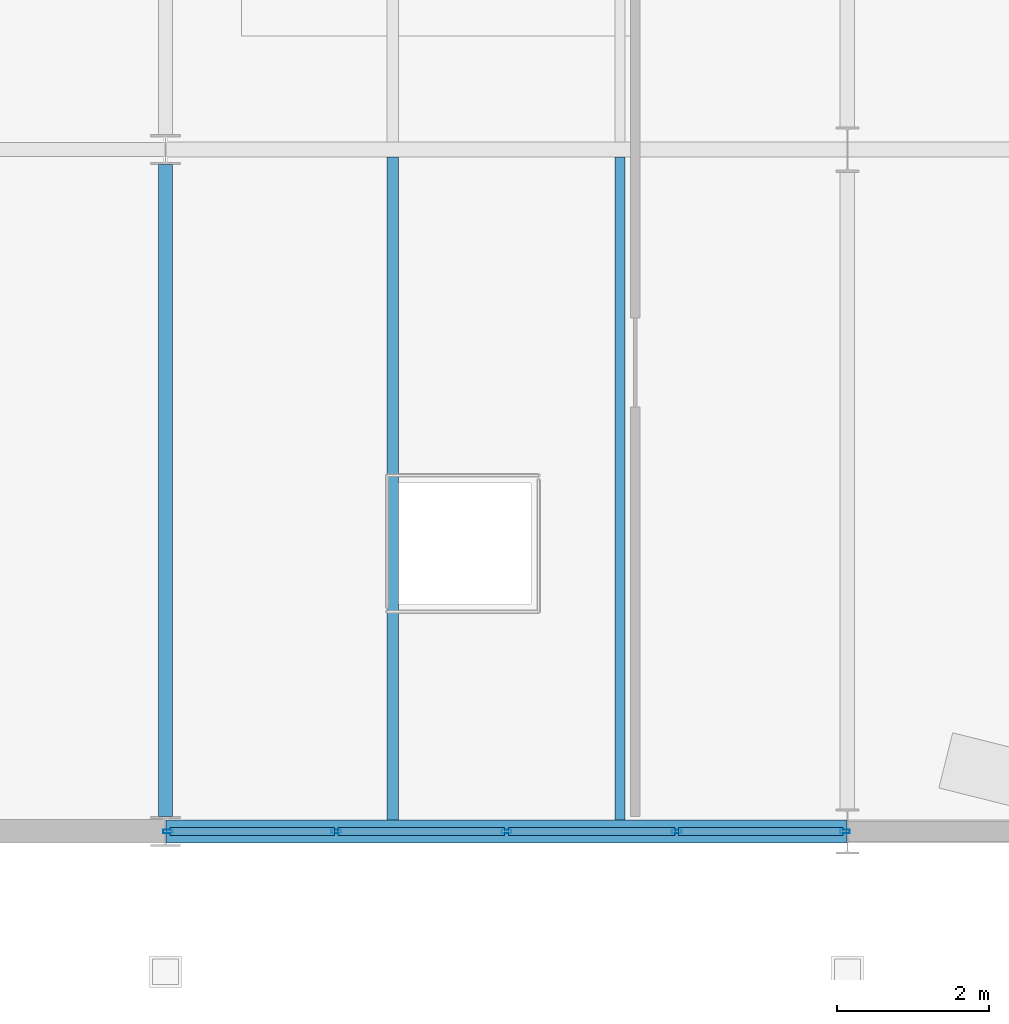
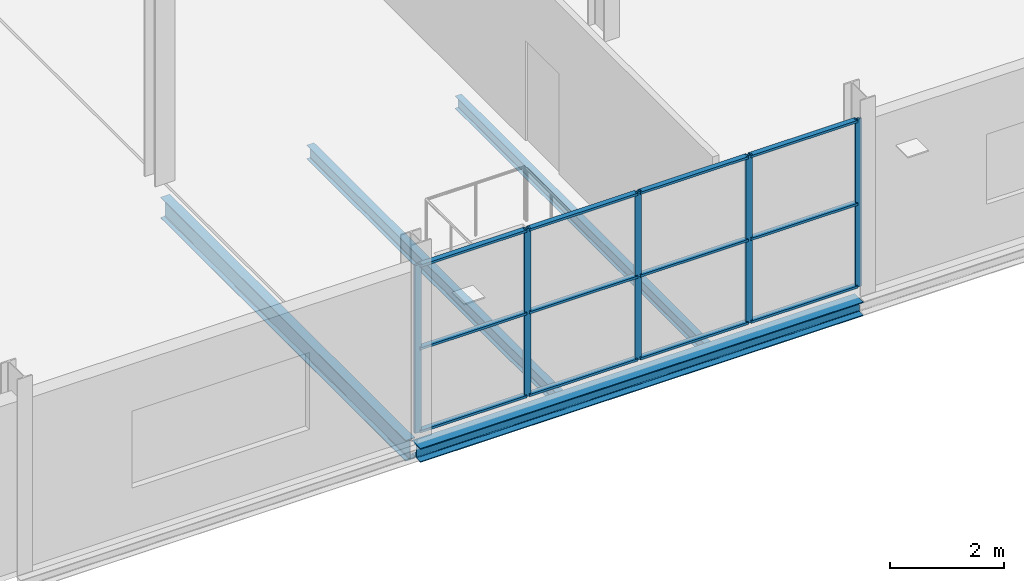
# One storey, part 79 of 132: 17 members, 4 beams, 1 element without a shape of its own.
"""IFC4 building model written with IfcOpenShell, lengths in metres."""

from ifc_helpers import new_model, si_unit, direction, frame, origin, origin_2d, place, context, subcontext, project, spatial, hollow_rectangle, i_section, extrude, material, layer, layer_set, material_profile, profile_set, type_object, element, aggregate, save


model = new_model("IFC4")

# Units and contexts
model_context = context("Model", 3, precision=1e-05, world=origin(), true_north=direction((0.0, 1.0)))
body_context = subcontext(model_context, "Body", "Model", "MODEL_VIEW")
ifc_project = project(units=[si_unit("LENGTHUNIT", "METRE"), si_unit("AREAUNIT", "SQUARE_METRE"), si_unit("VOLUMEUNIT", "CUBIC_METRE"), si_unit("PLANEANGLEUNIT", "RADIAN"), si_unit("MASSUNIT", "GRAM", prefix="KILO")], contexts=[model_context])

# Site, building, storey
site_placement = place(None, origin())
site = spatial("IfcSite", under=ifc_project, at=site_placement, CompositionType="ELEMENT")
building_placement = place(site_placement, origin())
building = spatial("IfcBuilding", under=site, at=building_placement, Name="Deido Ridge Mobility Hub", CompositionType="ELEMENT")
storey_placement = place(building_placement, frame((0.0, 0.0, 8.39990234375)))
storey = spatial("IfcBuildingStorey", under=building, at=storey_placement, Name="L02", CompositionType="ELEMENT", Elevation=8.39990234375)

# Beams
ifc_material_1 = material(Name="Steel S355J2 EN 10025-2", Category="steel")
ifc_material_profile_1 = material_profile(ifc_material_1, i_section(OverallWidth=0.18994140625, OverallDepth=0.449951171875, WebThickness=0.009521484375, FlangeThickness=0.0146484375, FilletRadius=0.02099609375, at=origin_2d()), Name="IPE 450")
ifc_profile_set_1 = profile_set([ifc_material_profile_1], Name="Steel S355J2 EN 10025-2")
beam_type_1 = type_object("IfcBeamType", Name="BM-IPE450", PredefinedType="BEAM", material=ifc_profile_set_1)
beam_1_placement = place(storey_placement, frame((144.0, 0.196533203125, -0.47998046875), z_axis=(0.0, 1.0, 0.0), x_axis=(-1.0, 0.0, 0.0)))
element("IfcBeam", 1, at=beam_1_placement, inside=storey, type_object=beam_type_1, Name="Floor beam B4", PredefinedType="BEAM", context=body_context, shape_type="SweptSolid", body=[
    extrude(i_section(OverallWidth=0.18994140625, OverallDepth=0.449951171875, WebThickness=0.009521484375, FlangeThickness=0.0146484375, FilletRadius=0.02099609375, at=origin_2d()), origin(), (0.0, 0.0, 1.0), 8.60693359375),
])
ifc_material_profile_2 = material_profile(ifc_material_1, i_section(OverallWidth=0.135009765625, OverallDepth=0.27001953125, WebThickness=0.006591796875, FlangeThickness=0.01025390625, FilletRadius=0.014892578125, at=origin_2d()), Name="IPE 270")
ifc_profile_set_2 = profile_set([ifc_material_profile_2], Name="Steel S355J2 EN 10025-2")
beam_type_2 = type_object("IfcBeamType", Name="JST-IPE270", PredefinedType="JOIST", material=ifc_profile_set_2)
beam_2_placement = place(storey_placement, frame((150.0, 0.14990234375, -0.389892578125), z_axis=(0.0, 1.0, 0.0), x_axis=(-1.0, 0.0, 0.0)))
element("IfcBeam", 2, at=beam_2_placement, inside=storey, type_object=beam_type_2, Name="Composite joist J4", PredefinedType="JOIST", context=body_context, shape_type="SweptSolid", body=[
    extrude(i_section(OverallWidth=0.135009765625, OverallDepth=0.27001953125, WebThickness=0.006591796875, FlangeThickness=0.01025390625, FilletRadius=0.014892578125, at=origin_2d()), origin(), (0.0, 0.0, 1.0), 8.75),
])
ifc_material_profile_3 = material_profile(ifc_material_1, i_section(OverallWidth=0.14990234375, OverallDepth=0.300048828125, WebThickness=0.007080078125, FlangeThickness=0.0107421875, FilletRadius=0.014892578125, at=origin_2d()), Name="IPE 300")
ifc_profile_set_3 = profile_set([ifc_material_profile_3], Name="Steel S355J2 EN 10025-2")
beam_type_3 = type_object("IfcBeamType", Name="JST-IPE300", PredefinedType="JOIST", material=ifc_profile_set_3)
beam_3_placement = place(storey_placement, frame((147.0, 0.14990234375, -0.40478515625), z_axis=(0.0, 1.0, 0.0), x_axis=(-1.0, 0.0, 0.0)))
element("IfcBeam", 3, at=beam_3_placement, inside=storey, type_object=beam_type_3, Name="Composite joist J3", PredefinedType="JOIST", context=body_context, shape_type="SweptSolid", body=[
    extrude(i_section(OverallWidth=0.14990234375, OverallDepth=0.300048828125, WebThickness=0.007080078125, FlangeThickness=0.0107421875, FilletRadius=0.014892578125, at=origin_2d()), origin(), (0.0, 0.0, 1.0), 8.75),
])

# Curtain wall, members
ifc_material_2 = material(Name="Anodised aluminium EN AW-6063 T6", Category="aluminium")
ifc_layer = layer(ifc_material_2, 0.1650390625, Name="Anodised aluminium EN AW-6063 T6")
ifc_layer_set = layer_set([ifc_layer], Name="Anodised aluminium EN AW-6063 T6")
curtain_wall_type = type_object("IfcCurtainWallType", Name="CW-UF-1", PredefinedType="USERDEFINED", material=ifc_layer_set)
curtain_wall_placement = place(storey_placement, origin())
curtain_wall = element("IfcCurtainWall", 4, at=curtain_wall_placement, inside=storey, type_object=curtain_wall_type, Name="Unitised curtain wall CW1", ObjectType="UNITISED FACADE", PredefinedType="USERDEFINED")
ifc_material_profile_4 = material_profile(ifc_material_2, hollow_rectangle(XDim=0.050048828125, YDim=0.1298828125, WallThickness=0.00390625, at=origin_2d()), Name="RHS 50x130x4")
ifc_profile_set_4 = profile_set([ifc_material_profile_4], Name="Anodised aluminium EN AW-6063 T6")
member_type_1 = type_object("IfcMemberType", Name="MEM-MUL-50X130", PredefinedType="MULLION", material=ifc_profile_set_4)
member_1_placement = place(storey_placement, frame((144.03369140625, 0.0, 0.0), z_axis=(0.0, 0.0, 1.0), x_axis=(0.0, 1.0, 0.0)))
member_1 = element("IfcMember", 5, at=member_1_placement, type_object=member_type_1, Name="CW1 mullion 1", PredefinedType="MULLION", context=body_context, shape_type="SweptSolid", body=[
    extrude(hollow_rectangle(XDim=0.050048828125, YDim=0.1298828125, WallThickness=0.00390625, at=origin_2d()), origin(), (0.0, 0.0, 1.0), 3.60009765625),
])
member_2_placement = place(storey_placement, frame((146.254638671875, 0.0, 0.0), z_axis=(0.0, 0.0, 1.0), x_axis=(0.0, 1.0, 0.0)))
member_2 = element("IfcMember", 6, at=member_2_placement, type_object=member_type_1, Name="CW1 mullion 2", PredefinedType="MULLION", context=body_context, shape_type="SweptSolid", body=[
    extrude(hollow_rectangle(XDim=0.050048828125, YDim=0.1298828125, WallThickness=0.00390625, at=origin_2d()), origin(), (0.0, 0.0, 1.0), 3.60009765625),
])
member_3_placement = place(storey_placement, frame((148.50048828125, 0.0, 0.0), z_axis=(0.0, 0.0, 1.0), x_axis=(0.0, 1.0, 0.0)))
member_3 = element("IfcMember", 7, at=member_3_placement, type_object=member_type_1, Name="CW1 mullion 3", PredefinedType="MULLION", context=body_context, shape_type="SweptSolid", body=[
    extrude(hollow_rectangle(XDim=0.050048828125, YDim=0.1298828125, WallThickness=0.00390625, at=origin_2d()), origin(), (0.0, 0.0, 1.0), 3.60009765625),
])
member_4_placement = place(storey_placement, frame((150.746337890625, 0.0, 0.0), z_axis=(0.0, 0.0, 1.0), x_axis=(0.0, 1.0, 0.0)))
member_4 = element("IfcMember", 8, at=member_4_placement, type_object=member_type_1, Name="CW1 mullion 4", PredefinedType="MULLION", context=body_context, shape_type="SweptSolid", body=[
    extrude(hollow_rectangle(XDim=0.050048828125, YDim=0.1298828125, WallThickness=0.00390625, at=origin_2d()), origin(), (0.0, 0.0, 1.0), 3.60009765625),
])
member_5_placement = place(storey_placement, frame((152.96728515625, 0.0, 0.0), z_axis=(0.0, 0.0, 1.0), x_axis=(0.0, 1.0, 0.0)))
member_5 = element("IfcMember", 9, at=member_5_placement, type_object=member_type_1, Name="CW1 mullion 5", PredefinedType="MULLION", context=body_context, shape_type="SweptSolid", body=[
    extrude(hollow_rectangle(XDim=0.050048828125, YDim=0.1298828125, WallThickness=0.00390625, at=origin_2d()), origin(), (0.0, 0.0, 1.0), 3.60009765625),
])
ifc_material_profile_5 = material_profile(ifc_material_2, hollow_rectangle(XDim=0.10498046875, YDim=0.050048828125, WallThickness=0.00390625, at=origin_2d()), Name="RHS 105x50x4")
ifc_profile_set_5 = profile_set([ifc_material_profile_5], Name="Anodised aluminium EN AW-6063 T6")
member_type_2 = type_object("IfcMemberType", Name="MEM-TRN-105X50", PredefinedType="USERDEFINED", material=ifc_profile_set_5)
member_6_placement = place(storey_placement, frame((144.05859375, 0.0, 0.025146484375), z_axis=(1.0, 0.0, 0.0), x_axis=(0.0, 1.0, 0.0)))
member_6 = element("IfcMember", 10, at=member_6_placement, type_object=member_type_2, Name="CW1 transom 1.1", ObjectType="TRANSOM", PredefinedType="USERDEFINED", context=body_context, shape_type="SweptSolid", body=[
    extrude(hollow_rectangle(XDim=0.10498046875, YDim=0.050048828125, WallThickness=0.00390625, at=origin_2d()), origin(), (0.0, 0.0, 1.0), 2.1708984375),
])
member_7_placement = place(storey_placement, frame((144.05859375, 0.0, 1.800048828125), z_axis=(1.0, 0.0, 0.0), x_axis=(0.0, 1.0, 0.0)))
member_7 = element("IfcMember", 11, at=member_7_placement, type_object=member_type_2, Name="CW1 transom 1.2", ObjectType="TRANSOM", PredefinedType="USERDEFINED", context=body_context, shape_type="SweptSolid", body=[
    extrude(hollow_rectangle(XDim=0.10498046875, YDim=0.050048828125, WallThickness=0.00390625, at=origin_2d()), origin(), (0.0, 0.0, 1.0), 2.1708984375),
])
member_8_placement = place(storey_placement, frame((144.05859375, 0.0, 3.5751953125), z_axis=(1.0, 0.0, 0.0), x_axis=(0.0, 1.0, 0.0)))
member_8 = element("IfcMember", 12, at=member_8_placement, type_object=member_type_2, Name="CW1 transom 1.3", ObjectType="TRANSOM", PredefinedType="USERDEFINED", context=body_context, shape_type="SweptSolid", body=[
    extrude(hollow_rectangle(XDim=0.10498046875, YDim=0.050048828125, WallThickness=0.00390625, at=origin_2d()), origin(), (0.0, 0.0, 1.0), 2.1708984375),
])
member_9_placement = place(storey_placement, frame((146.279541015625, 0.0, 0.025146484375), z_axis=(1.0, 0.0, 0.0), x_axis=(0.0, 1.0, 0.0)))
member_9 = element("IfcMember", 13, at=member_9_placement, type_object=member_type_2, Name="CW1 transom 2.1", ObjectType="TRANSOM", PredefinedType="USERDEFINED", context=body_context, shape_type="SweptSolid", body=[
    extrude(hollow_rectangle(XDim=0.10498046875, YDim=0.050048828125, WallThickness=0.00390625, at=origin_2d()), origin(), (0.0, 0.0, 1.0), 2.196044921875),
])
member_10_placement = place(storey_placement, frame((146.279541015625, 0.0, 1.800048828125), z_axis=(1.0, 0.0, 0.0), x_axis=(0.0, 1.0, 0.0)))
member_10 = element("IfcMember", 14, at=member_10_placement, type_object=member_type_2, Name="CW1 transom 2.2", ObjectType="TRANSOM", PredefinedType="USERDEFINED", context=body_context, shape_type="SweptSolid", body=[
    extrude(hollow_rectangle(XDim=0.10498046875, YDim=0.050048828125, WallThickness=0.00390625, at=origin_2d()), origin(), (0.0, 0.0, 1.0), 2.196044921875),
])
member_11_placement = place(storey_placement, frame((146.279541015625, 0.0, 3.5751953125), z_axis=(1.0, 0.0, 0.0), x_axis=(0.0, 1.0, 0.0)))
member_11 = element("IfcMember", 15, at=member_11_placement, type_object=member_type_2, Name="CW1 transom 2.3", ObjectType="TRANSOM", PredefinedType="USERDEFINED", context=body_context, shape_type="SweptSolid", body=[
    extrude(hollow_rectangle(XDim=0.10498046875, YDim=0.050048828125, WallThickness=0.00390625, at=origin_2d()), origin(), (0.0, 0.0, 1.0), 2.196044921875),
])
member_12_placement = place(storey_placement, frame((148.525390625, 0.0, 0.025146484375), z_axis=(1.0, 0.0, 0.0), x_axis=(0.0, 1.0, 0.0)))
member_12 = element("IfcMember", 16, at=member_12_placement, type_object=member_type_2, Name="CW1 transom 3.1", ObjectType="TRANSOM", PredefinedType="USERDEFINED", context=body_context, shape_type="SweptSolid", body=[
    extrude(hollow_rectangle(XDim=0.10498046875, YDim=0.050048828125, WallThickness=0.00390625, at=origin_2d()), origin(), (0.0, 0.0, 1.0), 2.196044921875),
])
member_13_placement = place(storey_placement, frame((148.525390625, 0.0, 1.800048828125), z_axis=(1.0, 0.0, 0.0), x_axis=(0.0, 1.0, 0.0)))
member_13 = element("IfcMember", 17, at=member_13_placement, type_object=member_type_2, Name="CW1 transom 3.2", ObjectType="TRANSOM", PredefinedType="USERDEFINED", context=body_context, shape_type="SweptSolid", body=[
    extrude(hollow_rectangle(XDim=0.10498046875, YDim=0.050048828125, WallThickness=0.00390625, at=origin_2d()), origin(), (0.0, 0.0, 1.0), 2.196044921875),
])
member_14_placement = place(storey_placement, frame((148.525390625, 0.0, 3.5751953125), z_axis=(1.0, 0.0, 0.0), x_axis=(0.0, 1.0, 0.0)))
member_14 = element("IfcMember", 18, at=member_14_placement, type_object=member_type_2, Name="CW1 transom 3.3", ObjectType="TRANSOM", PredefinedType="USERDEFINED", context=body_context, shape_type="SweptSolid", body=[
    extrude(hollow_rectangle(XDim=0.10498046875, YDim=0.050048828125, WallThickness=0.00390625, at=origin_2d()), origin(), (0.0, 0.0, 1.0), 2.196044921875),
])
member_15_placement = place(storey_placement, frame((150.771484375, 0.0, 0.025146484375), z_axis=(1.0, 0.0, 0.0), x_axis=(0.0, 1.0, 0.0)))
member_15 = element("IfcMember", 19, at=member_15_placement, type_object=member_type_2, Name="CW1 transom 4.1", ObjectType="TRANSOM", PredefinedType="USERDEFINED", context=body_context, shape_type="SweptSolid", body=[
    extrude(hollow_rectangle(XDim=0.10498046875, YDim=0.050048828125, WallThickness=0.00390625, at=origin_2d()), origin(), (0.0, 0.0, 1.0), 2.1708984375),
])
member_16_placement = place(storey_placement, frame((150.771484375, 0.0, 1.800048828125), z_axis=(1.0, 0.0, 0.0), x_axis=(0.0, 1.0, 0.0)))
member_16 = element("IfcMember", 20, at=member_16_placement, type_object=member_type_2, Name="CW1 transom 4.2", ObjectType="TRANSOM", PredefinedType="USERDEFINED", context=body_context, shape_type="SweptSolid", body=[
    extrude(hollow_rectangle(XDim=0.10498046875, YDim=0.050048828125, WallThickness=0.00390625, at=origin_2d()), origin(), (0.0, 0.0, 1.0), 2.1708984375),
])
member_17_placement = place(storey_placement, frame((150.771484375, 0.0, 3.5751953125), z_axis=(1.0, 0.0, 0.0), x_axis=(0.0, 1.0, 0.0)))
member_17 = element("IfcMember", 21, at=member_17_placement, type_object=member_type_2, Name="CW1 transom 4.3", ObjectType="TRANSOM", PredefinedType="USERDEFINED", context=body_context, shape_type="SweptSolid", body=[
    extrude(hollow_rectangle(XDim=0.10498046875, YDim=0.050048828125, WallThickness=0.00390625, at=origin_2d()), origin(), (0.0, 0.0, 1.0), 2.1708984375),
])
aggregate(curtain_wall, [member_1, member_2, member_3, member_4, member_5, member_6, member_7, member_8, member_9, member_10, member_11, member_12, member_13, member_14, member_15, member_16, member_17])

# Beam
ifc_material_profile_6 = material_profile(ifc_material_1, i_section(OverallWidth=0.300048828125, OverallDepth=0.300048828125, WebThickness=0.010986328125, FlangeThickness=0.01904296875, FilletRadius=0.027099609375, at=origin_2d()), Name="HEB 300")
ifc_profile_set_6 = profile_set([ifc_material_profile_6], Name="Steel S355J2 EN 10025-2")
beam_type_4 = type_object("IfcBeamType", Name="SPD-HEB300", PredefinedType="SPANDREL", material=ifc_profile_set_6)
beam_4_placement = place(storey_placement, frame((144.0087890625, 0.0, -0.40478515625), z_axis=(1.0, 0.0, 0.0), x_axis=(0.0, 1.0, 0.0)))
element("IfcBeam", 22, at=beam_4_placement, inside=storey, type_object=beam_type_4, Name="Floor beam SP1", PredefinedType="SPANDREL", context=body_context, shape_type="SweptSolid", body=[
    extrude(i_section(OverallWidth=0.300048828125, OverallDepth=0.300048828125, WebThickness=0.010986328125, FlangeThickness=0.01904296875, FilletRadius=0.027099609375, at=origin_2d()), origin(), (0.0, 0.0, 1.0), 8.9833984375),
])

save(model, "model.ifc")
